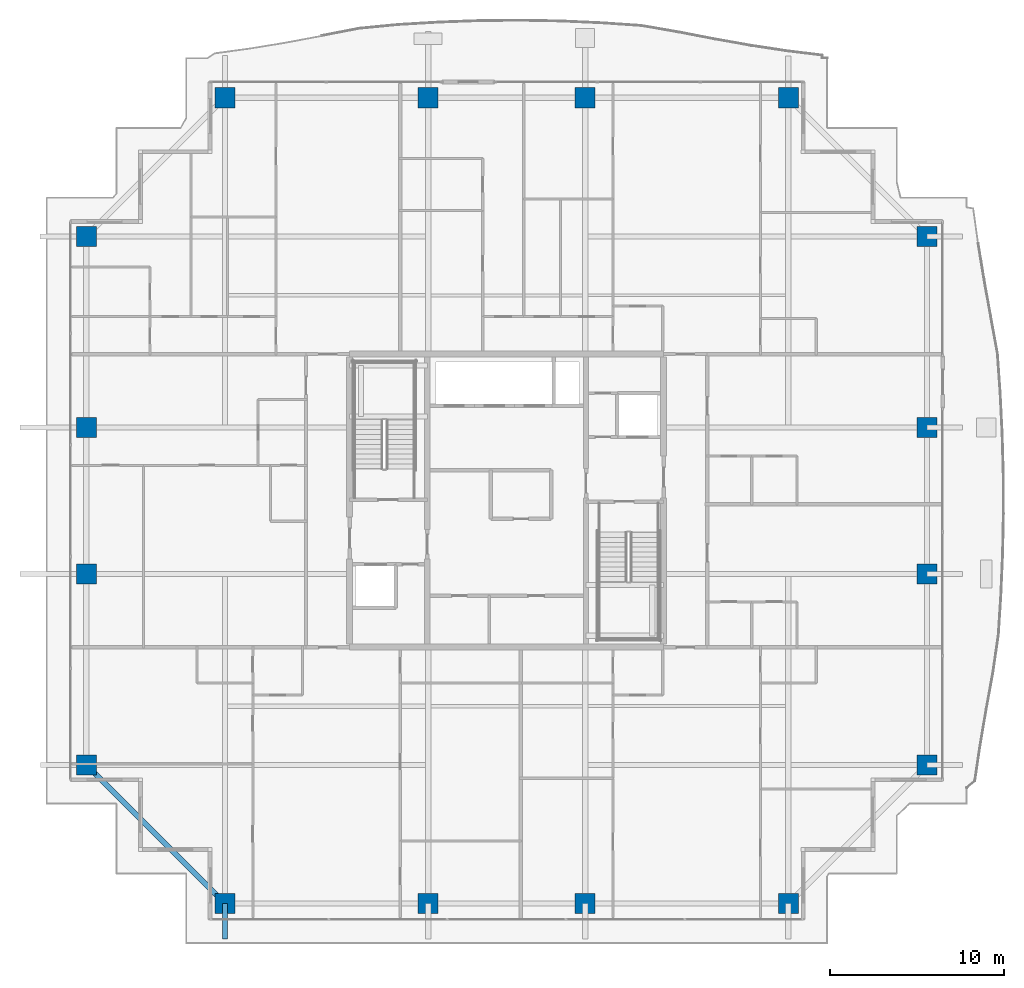
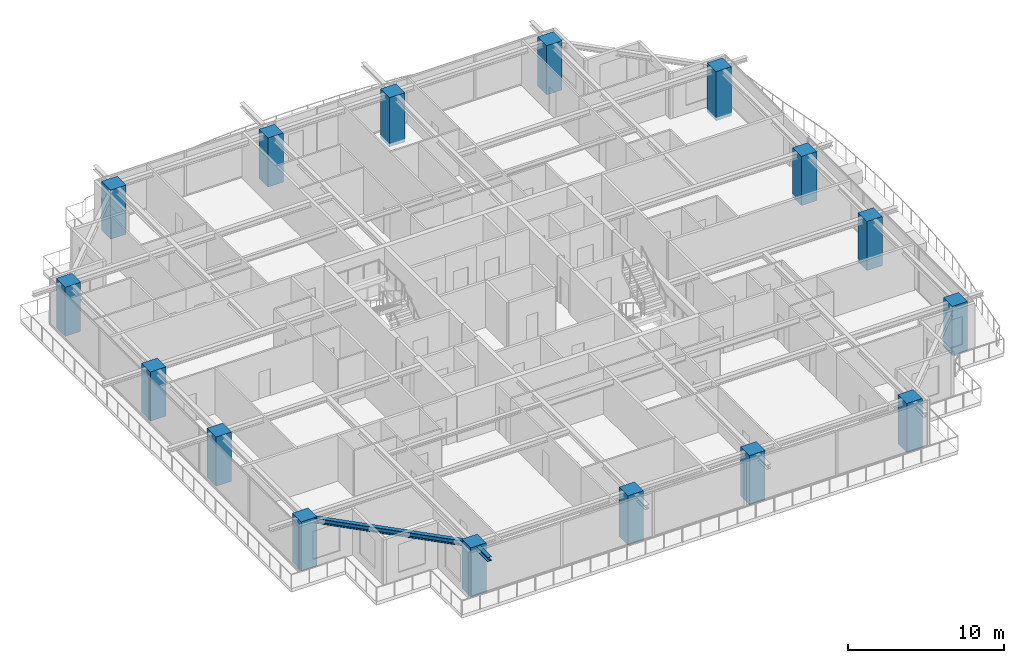
# One storey, part 1 of 37: 16 columns, 2 beams.
"""IFC4 building model written with IfcOpenShell, lengths in metres."""

import ifcopenshell
import ifcopenshell.guid

model = None  # the IFC model being written
_history = None  # IfcOwnerHistory: only IFC2X3 demands one
_inside = {}  # id of a spatial element -> (the spatial element, [elements in it])
_under = {}  # id of a project, library or spatial element -> (it, [spatial elements below it])
_declared = {}  # id of a project -> (the project, [libraries it declares])
_typed = {}  # id of a type object -> (the type object, [elements of that type])
_made_of = {}  # id of a material, layer set ... -> (it, [elements and type objects made of it])


def new_model(schema):
    """Start an empty IFC model of exactly this schema.

    Asked for "IFC4X3", IfcOpenShell would pick the latest addendum, in which some entities
    have other attributes; the version numbers below select the first issue.
    IFC2X3 requires an IfcOwnerHistory on every rooted entity: one is made here for all.
    """
    global model, _history
    if schema == "IFC4X3":
        model = ifcopenshell.file(schema_version=(4, 3, 0, 0))
    else:
        model = ifcopenshell.file(schema=schema)
    _inside.clear()
    _under.clear()
    _declared.clear()
    _typed.clear()
    _made_of.clear()
    _history = None
    if model.schema == "IFC2X3":
        org = make("IfcOrganization", Name="unknown")
        user = make(
            "IfcPersonAndOrganization",
            ThePerson=make("IfcPerson", FamilyName="unknown"),
            TheOrganization=org,
        )
        app = make(
            "IfcApplication",
            ApplicationDeveloper=org,
            Version="unknown",
            ApplicationFullName="unknown",
            ApplicationIdentifier="unknown",
        )
        _history = make(
            "IfcOwnerHistory",
            OwningUser=user,
            OwningApplication=app,
            ChangeAction="ADDED",
            CreationDate=0,
        )
    return model


def make(cls, **values):
    """One entity of the class cls with the attributes given. An attribute that is None is left unset."""
    return model.create_entity(
        cls, **{name: value for name, value in values.items() if value is not None}
    )


def rooted(cls, **values):
    """An entity with a GlobalId (a new one), such as an element, a storey or a relation."""
    return make(cls, GlobalId=ifcopenshell.guid.new(), OwnerHistory=_history, **values)


def si_unit(unit_type, name, prefix=None):
    """IfcSIUnit, for example si_unit("LENGTHUNIT", "METRE", prefix="MILLI")."""
    return make("IfcSIUnit", UnitType=unit_type, Prefix=prefix, Name=name)


def assignment(units):
    """IfcUnitAssignment: the units of a project."""
    return None if units is None else make("IfcUnitAssignment", Units=units)


def point(xyz):
    """IfcCartesianPoint."""
    return None if xyz is None else make("IfcCartesianPoint", Coordinates=xyz)


def direction(xyz):
    """IfcDirection."""
    return None if xyz is None else make("IfcDirection", DirectionRatios=xyz)


def frame(location, z_axis=None, x_axis=None):
    """IfcAxis2Placement3D, a coordinate frame: its origin and axes. An axis left out is left unset."""
    return make(
        "IfcAxis2Placement3D",
        Location=point(location),
        Axis=direction(z_axis),
        RefDirection=direction(x_axis),
    )


def frame_2d(location, x_axis=None):
    """IfcAxis2Placement2D, a coordinate frame in the plane: its origin and x axis."""
    return make(
        "IfcAxis2Placement2D", Location=point(location), RefDirection=direction(x_axis)
    )


def origin():
    """The frame at (0, 0, 0) with its axes left unset."""
    return frame((0.0, 0.0, 0.0))


def origin_2d():
    """The frame at (0, 0) in the plane with its x axis left unset."""
    return frame_2d((0.0, 0.0))


def place(relative_to, where):
    """IfcLocalPlacement: puts the frame where relative to a parent placement (None: the world)."""
    return make(
        "IfcLocalPlacement", PlacementRelTo=relative_to, RelativePlacement=where
    )


def context(
    kind, dimensions, precision=None, world=None, true_north=None, identifier=None
):
    """IfcGeometricRepresentationContext, for example the 3D "Model" context."""
    return make(
        "IfcGeometricRepresentationContext",
        ContextIdentifier=identifier,
        ContextType=kind,
        CoordinateSpaceDimension=dimensions,
        Precision=precision,
        WorldCoordinateSystem=world,
        TrueNorth=true_north,
    )


def subcontext(parent, identifier, kind, view, scale=None):
    """IfcGeometricRepresentationSubContext, for example "Body" below "Model"."""
    return make(
        "IfcGeometricRepresentationSubContext",
        ContextIdentifier=identifier,
        ContextType=kind,
        ParentContext=parent,
        TargetScale=scale,
        TargetView=view,
    )


def project(units=None, contexts=None):
    """IfcProject with its units and contexts."""
    return rooted(
        "IfcProject",
        Name="project",
        RepresentationContexts=contexts,
        UnitsInContext=assignment(units),
    )


def spatial(cls, under=None, at=None, **own):
    """A site, building, storey or space (cls), placed at a placement, below another one or the project."""
    s = rooted(cls, ObjectPlacement=at, **own)
    if under is not None:
        _under.setdefault(under.id(), (under, []))[1].append(s)
    return s


def profile(cls, at=None, kind="AREA", **sizes):
    """A parametric profile (cls). Its sizes go by their IFC names, for example OverallWidth=200.0."""
    return make(cls, ProfileType=kind, Position=at, **sizes)


def rectangle(**sizes):
    """IfcRectangleProfileDef."""
    return profile("IfcRectangleProfileDef", **sizes)


def i_section(**sizes):
    """IfcIShapeProfileDef."""
    return profile("IfcIShapeProfileDef", **sizes)


def extrude(swept, where, along, depth):
    """IfcExtrudedAreaSolid: the profile swept, set in the frame where, extruded along a direction by depth."""
    return make(
        "IfcExtrudedAreaSolid",
        SweptArea=swept,
        Position=where,
        ExtrudedDirection=direction(along),
        Depth=depth,
    )


def shape(context_of_items, identifier, shape_type, items):
    """IfcShapeRepresentation: the items that make up one representation, for example the "Body"."""
    return make(
        "IfcShapeRepresentation",
        ContextOfItems=context_of_items,
        RepresentationIdentifier=identifier,
        RepresentationType=shape_type,
        Items=items,
    )


def source(mapping_origin, context_of_items, identifier, shape_type, items):
    """IfcRepresentationMap: a shape defined once, which mapped items show again and again."""
    return make(
        "IfcRepresentationMap",
        MappingOrigin=mapping_origin,
        MappedRepresentation=shape(context_of_items, identifier, shape_type, items),
    )


def transform(
    local_origin,
    x_axis=None,
    y_axis=None,
    z_axis=None,
    scale=None,
    scale2=None,
    scale3=None,
    uniform=True,
):
    """IfcCartesianTransformationOperator3D, or its non-uniform kind. x_axis, y_axis, z_axis: its Axis1, 2, 3."""
    if uniform:
        return make(
            "IfcCartesianTransformationOperator3D",
            Axis1=direction(x_axis),
            Axis2=direction(y_axis),
            LocalOrigin=point(local_origin),
            Scale=scale,
            Axis3=direction(z_axis),
        )
    return make(
        "IfcCartesianTransformationOperator3DnonUniform",
        Axis1=direction(x_axis),
        Axis2=direction(y_axis),
        LocalOrigin=point(local_origin),
        Scale=scale,
        Axis3=direction(z_axis),
        Scale2=scale2,
        Scale3=scale3,
    )


def mapped(mapping_source, mapping_target):
    """IfcMappedItem: shows the shape of a source again, moved by a transform."""
    return make(
        "IfcMappedItem", MappingSource=mapping_source, MappingTarget=mapping_target
    )


def material(Name=None, Category=None):
    """IfcMaterial."""
    return make("IfcMaterial", Name=Name, Category=Category)


def material_profile(
    of_material, cross_section, Name=None, Category=None, Priority=None
):
    """IfcMaterialProfile: a cross section and its material."""
    return make(
        "IfcMaterialProfile",
        Name=Name,
        Material=of_material,
        Profile=cross_section,
        Priority=Priority,
        Category=Category,
    )


def profile_set(profiles, Name=None, composite=None):
    """IfcMaterialProfileSet."""
    return make(
        "IfcMaterialProfileSet",
        Name=Name,
        MaterialProfiles=profiles,
        CompositeProfile=composite,
    )


def made_of(thing, what):
    """Note that an element or type object is made of a material, layer set ...; save() writes the relation."""
    if what is not None:
        _made_of.setdefault(what.id(), (what, []))[1].append(thing)
    return thing


def type_object(cls, material=None, **own):
    """A type object (cls), such as IfcWallType, which elements share."""
    return made_of(rooted(cls, **own), material)


def element(
    cls,
    number,
    at=None,
    inside=None,
    cuts=None,
    type_object=None,
    material=None,
    context=None,
    identifier="Body",
    shape_type=None,
    held_by="IfcProductDefinitionShape",
    body=None,
    shapes=None,
    **own,
):
    """One element of the class cls, such as IfcWall. Its Tag is "e" and its number.

    at: its placement. inside: the storey or other place that contains it. cuts: it is an
    opening in that element (IfcRelVoidsElement). A single representation is given by context,
    identifier, shape_type and body (its items); several are given by shapes. held_by: the class
    of the entity that holds the representations. save() writes the other relations.
    """
    e = rooted(cls, Tag="e%d" % number, ObjectPlacement=at, **own)
    if body is not None:
        shapes = [shape(context, identifier, shape_type, body)]
    if shapes is not None:
        e.Representation = make(held_by, Representations=shapes)
    if inside is not None:
        _inside.setdefault(inside.id(), (inside, []))[1].append(e)
    if cuts is not None:
        rooted(
            "IfcRelVoidsElement", RelatingBuildingElement=cuts, RelatedOpeningElement=e
        )
    if type_object is not None:
        _typed.setdefault(type_object.id(), (type_object, []))[1].append(e)
    return made_of(e, material)


def aggregate(whole, parts):
    """IfcRelAggregates: a whole, such as a stair, and the parts it consists of."""
    return rooted("IfcRelAggregates", RelatingObject=whole, RelatedObjects=parts)


def save(model, path):
    """Write the relations noted so far, then the file.

    IfcRelAggregates (storeys below a building ...), IfcRelContainedInSpatialStructure (elements
    in a storey), IfcRelDefinesByType, IfcRelAssociatesMaterial and IfcRelDeclares: one each for
    every whole, place, type object, material and project.
    """
    for whole, parts in _under.values():
        aggregate(whole, parts)
    for where, things in _inside.values():
        rooted(
            "IfcRelContainedInSpatialStructure",
            RelatedElements=things,
            RelatingStructure=where,
        )
    for kind, things in _typed.values():
        rooted("IfcRelDefinesByType", RelatedObjects=things, RelatingType=kind)
    for what, things in _made_of.values():
        rooted("IfcRelAssociatesMaterial", RelatedObjects=things, RelatingMaterial=what)
    for by, libraries in _declared.values():
        rooted("IfcRelDeclares", RelatingContext=by, RelatedDefinitions=libraries)
    model.write(path)


model = new_model("IFC4")

# Units and contexts
model_context = context("Model", 3, precision=1e-05, world=origin(), true_north=direction((0.0, 1.0)))
body_context = subcontext(model_context, "Body", "Model", "MODEL_VIEW")
ifc_project = project(units=[si_unit("LENGTHUNIT", "METRE"), si_unit("AREAUNIT", "SQUARE_METRE"), si_unit("VOLUMEUNIT", "CUBIC_METRE"), si_unit("PLANEANGLEUNIT", "RADIAN"), si_unit("MASSUNIT", "GRAM", prefix="KILO")], contexts=[model_context])

# Site, building, storey
site_placement = place(None, origin())
site = spatial("IfcSite", under=ifc_project, at=site_placement, CompositionType="ELEMENT")
building_placement = place(site_placement, origin())
building = spatial("IfcBuilding", under=site, at=building_placement, Name="Serunith Strait Residences", CompositionType="ELEMENT")
storey_placement = place(building_placement, frame((0.0, 0.0, 279.75)))
storey = spatial("IfcBuildingStorey", under=building, at=storey_placement, Name="L70", CompositionType="ELEMENT", Elevation=279.75)

# Columns
ifc_material_1 = material(Name="Concrete C80/95", Category="concrete")
ifc_material_profile_1 = material_profile(ifc_material_1, rectangle(XDim=1.14990234375, YDim=1.14990234375, at=origin_2d()), Name="RC 1150x1150")
ifc_profile_set_1 = profile_set([ifc_material_profile_1], Name="Concrete C80/95")
column_type = type_object("IfcColumnType", Name="COL-RC-1150", PredefinedType="COLUMN", material=ifc_profile_set_1)
shared_shape_1 = source(origin(), body_context, "Body", "SweptSolid", [
    extrude(rectangle(XDim=1.14990234375, YDim=1.14990234375, at=origin_2d()), origin(), (0.0, 0.0, 1.0), 3.85009765625),
])
for number, where, z_axis, x_axis, name in (
    (1, (16.25, 2.10009765625, -0.260009765625), (0.0, 0.0, 1.0), (1.0, 0.0, 0.0), "L70 Tower Mega-Column TC-S1"),
    (2, (27.89990234375, 2.10009765625, -0.260009765625), (0.0, 0.0, 1.0), (1.0, 0.0, 0.0), "L70 Tower Mega-Column TC-S2"),
    (3, (36.89990234375, 2.10009765625, -0.260009765625), (0.0, 0.0, 1.0), (1.0, 0.0, 0.0), "L70 Tower Mega-Column TC-S3"),
    (4, (48.550048828125, 2.10009765625, -0.260009765625), (0.0, 0.0, 1.0), (1.0, 0.0, 0.0), "L70 Tower Mega-Column TC-S4"),
    (5, (16.25, 48.300048828125, -0.260009765625), (0.0, 0.0, 1.0), (1.0, 0.0, 0.0), "L70 Tower Mega-Column TC-N1"),
    (6, (27.89990234375, 48.300048828125, -0.260009765625), (0.0, 0.0, 1.0), (1.0, 0.0, 0.0), "L70 Tower Mega-Column TC-N2"),
    (7, (36.89990234375, 48.300048828125, -0.260009765625), (0.0, 0.0, 1.0), (1.0, 0.0, 0.0), "L70 Tower Mega-Column TC-N3"),
    (8, (48.550048828125, 48.300048828125, -0.260009765625), (0.0, 0.0, 1.0), (1.0, 0.0, 0.0), "L70 Tower Mega-Column TC-N4"),
    (9, (56.5, 10.050048828125, -0.260009765625), (0.0, 0.0, 1.0), (1.0, 0.0, 0.0), "L70 Tower Mega-Column TC-E1"),
    (10, (56.5, 21.0, -0.260009765625), (0.0, 0.0, 1.0), (1.0, 0.0, 0.0), "L70 Tower Mega-Column TC-E2"),
    (11, (56.5, 29.39990234375, -0.260009765625), (0.0, 0.0, 1.0), (1.0, 0.0, 0.0), "L70 Tower Mega-Column TC-E3"),
    (12, (56.5, 40.35009765625, -0.260009765625), (0.0, 0.0, 1.0), (1.0, 0.0, 0.0), "L70 Tower Mega-Column TC-E4"),
    (13, (8.300048828125, 10.050048828125, -0.260009765625), (0.0, 0.0, 1.0), (1.0, 0.0, 0.0), "L70 Tower Mega-Column TC-W1"),
    (14, (8.300048828125, 21.0, -0.260009765625), (0.0, 0.0, 1.0), (1.0, 0.0, 0.0), "L70 Tower Mega-Column TC-W2"),
    (15, (8.300048828125, 29.39990234375, -0.260009765625), (0.0, 0.0, 1.0), (1.0, 0.0, 0.0), "L70 Tower Mega-Column TC-W3"),
    (16, (8.300048828125, 40.35009765625, -0.260009765625), (0.0, 0.0, 1.0), (1.0, 0.0, 0.0), "L70 Tower Mega-Column TC-W4"),
):
    element("IfcColumn", number, at=place(storey_placement, frame(where, z_axis=z_axis, x_axis=x_axis)), inside=storey, type_object=column_type, Name=name, PredefinedType="COLUMN", context=body_context, shape_type="MappedRepresentation", body=[
        mapped(shared_shape_1, transform((0.0, 0.0, 0.0), scale=1.0)),
    ])

# Beams
ifc_material_2 = material(Name="Steel S355J2", Category="steel")
ifc_material_profile_2 = material_profile(ifc_material_2, i_section(OverallWidth=0.300048828125, OverallDepth=0.39990234375, WebThickness=0.013427734375, FlangeThickness=0.02392578125, FilletRadius=0.027099609375, at=origin_2d()), Name="HEB 400")
ifc_profile_set_2 = profile_set([ifc_material_profile_2], Name="Steel S355J2")
beam_type_1 = type_object("IfcBeamType", Name="BM-HEB400", PredefinedType="BEAM", material=ifc_profile_set_2)
shared_shape_2 = source(origin(), body_context, "Body", "SweptSolid", [
    extrude(i_section(OverallWidth=0.300048828125, OverallDepth=0.39990234375, WebThickness=0.013427734375, FlangeThickness=0.02392578125, FilletRadius=0.027099609375, at=origin_2d()), origin(), (0.0, 0.0, 1.0), 11.242919921875),
])
beam_1_placement = place(storey_placement, frame((8.300048828125, 10.050048828125, 3.35693359375), z_axis=(0.707106781187, -0.707106781187, 0.0), x_axis=(0.707106781187, 0.707106781187, 0.0)))
element("IfcBeam", 17, at=beam_1_placement, inside=storey, type_object=beam_type_1, Name="L70 Perimeter Ring Beam 16", PredefinedType="BEAM", context=body_context, shape_type="MappedRepresentation", body=[
    mapped(shared_shape_2, transform((0.0, 0.0, 0.0), scale=1.0)),
])
ifc_material_profile_3 = material_profile(ifc_material_2, i_section(OverallWidth=0.300048828125, OverallDepth=0.320068359375, WebThickness=0.011474609375, FlangeThickness=0.0205078125, FilletRadius=0.027099609375, at=origin_2d()), Name="HEB 320")
ifc_profile_set_3 = profile_set([ifc_material_profile_3], Name="Steel S355J2")
beam_type_2 = type_object("IfcBeamType", Name="BM-HEB320", PredefinedType="BEAM", material=ifc_profile_set_3)
shared_shape_3 = source(origin(), body_context, "Body", "SweptSolid", [
    extrude(i_section(OverallWidth=0.300048828125, OverallDepth=0.320068359375, WebThickness=0.011474609375, FlangeThickness=0.0205078125, FilletRadius=0.027099609375, at=origin_2d()), origin(), (0.0, 0.0, 1.0), 2.030029296875),
])
beam_2_placement = place(storey_placement, frame((16.25, 2.10009765625, 3.39697265625), z_axis=(0.0, -1.0, 0.0), x_axis=(1.0, 0.0, 0.0)))
element("IfcBeam", 18, at=beam_2_placement, inside=storey, type_object=beam_type_2, Name="L71 Cantilevered Balcony Rib TC-S1", PredefinedType="BEAM", context=body_context, shape_type="MappedRepresentation", body=[
    mapped(shared_shape_3, transform((0.0, 0.0, 0.0), scale=1.0)),
])

save(model, "model.ifc")
